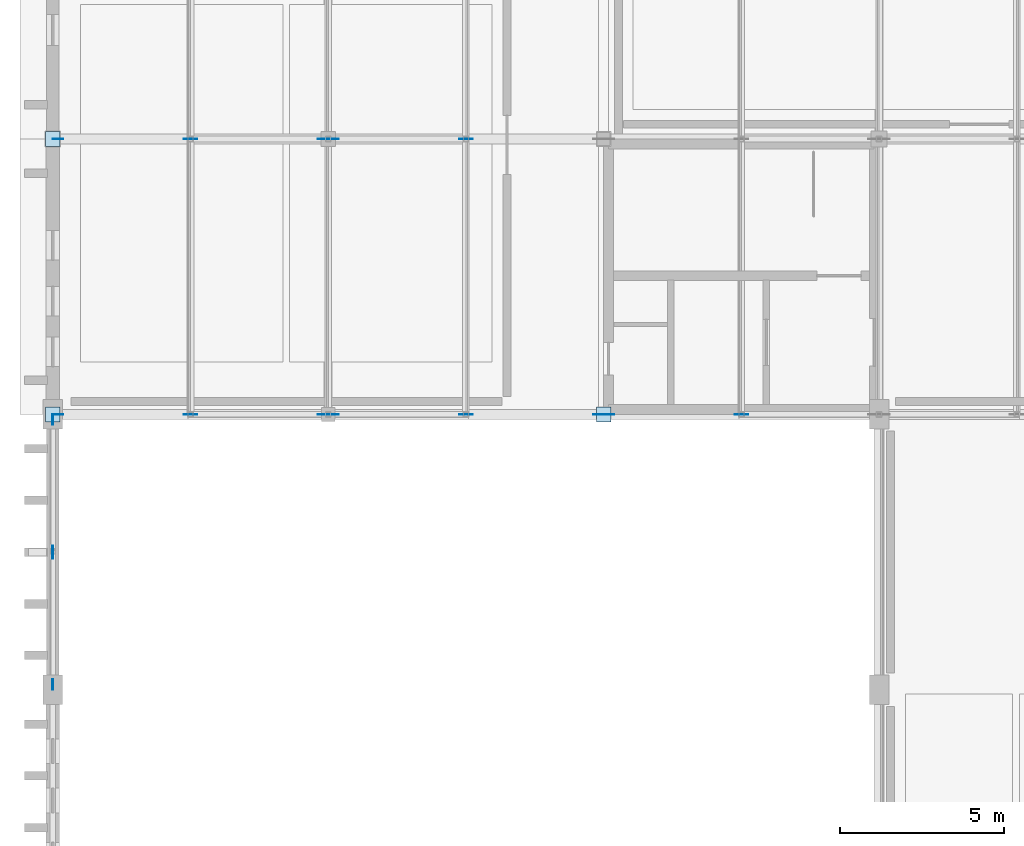
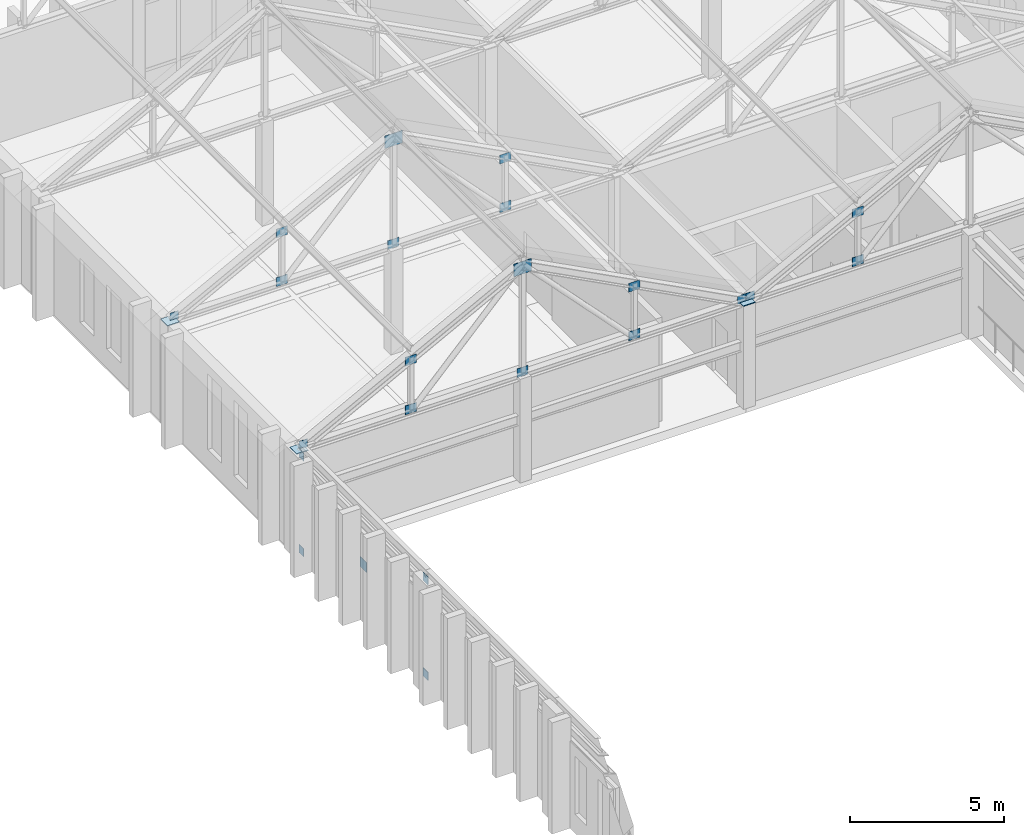
# One storey, part 147 of 192: 26 plates.
"""IFC4 building model written with IfcOpenShell, lengths in metres."""

from ifc_helpers import new_model, si_unit, direction, frame, origin, origin_2d, place, context, subcontext, project, spatial, rectangle, extrude, material, layer, layer_set, type_object, element, save


model = new_model("IFC4")

# Units and contexts
model_context = context("Model", 3, precision=1e-05, world=origin(), true_north=direction((0.0, 1.0)))
body_context = subcontext(model_context, "Body", "Model", "MODEL_VIEW")
ifc_project = project(units=[si_unit("LENGTHUNIT", "METRE"), si_unit("AREAUNIT", "SQUARE_METRE"), si_unit("VOLUMEUNIT", "CUBIC_METRE"), si_unit("PLANEANGLEUNIT", "RADIAN"), si_unit("MASSUNIT", "GRAM", prefix="KILO")], contexts=[model_context])

# Site, building, storey
site_placement = place(None, origin())
site = spatial("IfcSite", under=ifc_project, at=site_placement, CompositionType="ELEMENT")
building_placement = place(site_placement, origin())
building = spatial("IfcBuilding", under=site, at=building_placement, Name="Kveldsbrygga Polytechnic", CompositionType="ELEMENT")
storey_placement = place(building_placement, frame((0.0, 0.0, 5.43994140625)))
storey = spatial("IfcBuildingStorey", under=building, at=storey_placement, Name="L01", CompositionType="ELEMENT", Elevation=5.43994140625)

# Plates
ifc_material = material(Name="Steel S355", Category="steel")
ifc_layer_1 = layer(ifc_material, 0.030029296875)
ifc_layer_set_1 = layer_set([ifc_layer_1], Name="Steel S355")
plate_type_1 = type_object("IfcPlateType", Name="CAP-BEAR-450", PredefinedType="SHEET", material=ifc_layer_set_1)
for number, where, z_axis, x_axis, name in (
    (1, (0.0, 84.0, 4.08984375), (0.0, 0.0, 1.0), (1.0, 0.0, 0.0), "Truss Bearing Plate V1N1-T01-A"),
    (2, (16.800048828125, 84.0, 4.08984375), (0.0, 0.0, 1.0), (1.0, 0.0, 0.0), "Truss Bearing Plate V1N1-T01-B"),
    (3, (0.0, 92.39990234375, 4.08984375), (0.0, 0.0, 1.0), (1.0, 0.0, 0.0), "Truss Bearing Plate V1N1-T02-A"),
):
    element("IfcPlate", number, at=place(storey_placement, frame(where, z_axis=z_axis, x_axis=x_axis)), inside=storey, type_object=plate_type_1, Name=name, PredefinedType="SHEET", context=body_context, shape_type="SweptSolid", body=[
        extrude(rectangle(XDim=0.449951171875, YDim=0.449951171875, at=origin_2d()), origin(), (0.0, 0.0, 1.0), 0.030029296875),
    ])
ifc_layer_2 = layer(ifc_material, 0.02490234375)
ifc_layer_set_2 = layer_set([ifc_layer_2], Name="Steel S355")
plate_type_2 = type_object("IfcPlateType", Name="GUS-APEX-650", PredefinedType="SHEET", material=ifc_layer_set_2)
for number, where, z_axis, x_axis, name in (
    (4, (8.39990234375, 84.0, 8.1201171875), (0.0, 0.0, 1.0), (1.0, 0.0, 0.0), "Truss Gusset Plate V1N1-T01-GP-2"),
    (5, (8.39990234375, 92.39990234375, 8.1201171875), (0.0, 0.0, 1.0), (1.0, 0.0, 0.0), "Truss Gusset Plate V1N1-T02-GP-2"),
):
    element("IfcPlate", number, at=place(storey_placement, frame(where, z_axis=z_axis, x_axis=x_axis)), inside=storey, type_object=plate_type_2, Name=name, PredefinedType="SHEET", context=body_context, shape_type="SweptSolid", body=[
        extrude(rectangle(XDim=0.64990234375, YDim=0.02490234375, at=origin_2d()), origin(), (0.0, 0.0, 1.0), 0.5),
    ])
ifc_layer_3 = layer(ifc_material, 0.01806640625)
ifc_layer_set_3 = layer_set([ifc_layer_3], Name="Steel S355")
plate_type_3 = type_object("IfcPlateType", Name="GUS-BRACE-320", PredefinedType="SHEET", material=ifc_layer_set_3)
for number, where, z_axis, x_axis, name in (
    (6, (0.159912109375, 84.0, 4.080078125), (0.0, 0.0, 1.0), (1.0, 0.0, 0.0), "Truss Eaves Node Gusset V1N1-T01-EGP-A"),
    (7, (16.639892578125, 84.0, 4.080078125), (0.0, 0.0, 1.0), (1.0, 0.0, 0.0), "Truss Eaves Node Gusset V1N1-T01-EGP-B"),
    (8, (0.159912109375, 92.39990234375, 4.080078125), (0.0, 0.0, 1.0), (1.0, 0.0, 0.0), "Truss Eaves Node Gusset V1N1-T02-EGP-A"),
    (9, (16.9599609375, 84.0, 4.080078125), (0.0, 0.0, 1.0), (1.0, 0.0, 0.0), "Truss Eaves Node Gusset V1N2-T01-EGP-A"),
):
    element("IfcPlate", number, at=place(storey_placement, frame(where, z_axis=z_axis, x_axis=x_axis)), inside=storey, type_object=plate_type_3, Name=name, PredefinedType="SHEET", context=body_context, shape_type="SweptSolid", body=[
        extrude(rectangle(XDim=0.320068359375, YDim=0.01806640625, at=origin_2d()), origin(), (0.0, 0.0, 1.0), 0.320068359375),
    ])
for number, where, z_axis, x_axis, name in (
    (10, (0.0, 75.760009765625, 0.0), (0.0, 0.0, 1.0), (1.0, 0.0, 0.0), "Portal Brace End Gusset XGP-VBR-L01-W-9-1"),
    (11, (0.0, 83.840087890625, 3.7998046875), (0.0, 0.0, 1.0), (1.0, 0.0, 0.0), "Portal Brace End Gusset XGP-VBR-L01-W-9-2"),
    (12, (0.0, 83.840087890625, 0.0), (0.0, 0.0, 1.0), (1.0, 0.0, 0.0), "Portal Brace End Gusset XGP-VBR-L01-W-9-3"),
    (13, (0.0, 75.760009765625, 3.7998046875), (0.0, 0.0, 1.0), (1.0, 0.0, 0.0), "Portal Brace End Gusset XGP-VBR-L01-W-9-4"),
):
    element("IfcPlate", number, at=place(storey_placement, frame(where, z_axis=z_axis, x_axis=x_axis)), inside=storey, type_object=plate_type_3, Name=name, PredefinedType="SHEET", context=body_context, shape_type="SweptSolid", body=[
        extrude(rectangle(XDim=0.01806640625, YDim=0.320068359375, at=origin_2d()), origin(), (0.0, 0.0, 1.0), 0.320068359375),
    ])
ifc_layer_4 = layer(ifc_material, 0.02001953125)
ifc_layer_set_4 = layer_set([ifc_layer_4], Name="Steel S355")
plate_type_4 = type_object("IfcPlateType", Name="GUS-LECT-420", PredefinedType="SHEET", material=ifc_layer_set_4)
for number, where, z_axis, x_axis, name in (
    (14, (4.199951171875, 84.0, 5.9951171875), (0.0, 0.0, 1.0), (1.0, 0.0, 0.0), "Truss Gusset Plate V1N1-T01-GP-1"),
    (15, (4.199951171875, 84.0, 4.06494140625), (0.0, 0.0, 1.0), (1.0, 0.0, 0.0), "Truss Bottom-Chord Node Gusset V1N1-T01-BGP-1"),
    (16, (8.39990234375, 84.0, 4.06494140625), (0.0, 0.0, 1.0), (1.0, 0.0, 0.0), "Truss Bottom-Chord Node Gusset V1N1-T01-BGP-2"),
    (17, (12.60009765625, 84.0, 5.9951171875), (0.0, 0.0, 1.0), (1.0, 0.0, 0.0), "Truss Gusset Plate V1N1-T01-GP-3"),
    (18, (12.60009765625, 84.0, 4.06494140625), (0.0, 0.0, 1.0), (1.0, 0.0, 0.0), "Truss Bottom-Chord Node Gusset V1N1-T01-BGP-3"),
    (19, (4.199951171875, 92.39990234375, 5.9951171875), (0.0, 0.0, 1.0), (1.0, 0.0, 0.0), "Truss Gusset Plate V1N1-T02-GP-1"),
    (20, (4.199951171875, 92.39990234375, 4.06494140625), (0.0, 0.0, 1.0), (1.0, 0.0, 0.0), "Truss Bottom-Chord Node Gusset V1N1-T02-BGP-1"),
    (21, (8.39990234375, 92.39990234375, 4.06494140625), (0.0, 0.0, 1.0), (1.0, 0.0, 0.0), "Truss Bottom-Chord Node Gusset V1N1-T02-BGP-2"),
    (22, (12.60009765625, 92.39990234375, 5.9951171875), (0.0, 0.0, 1.0), (1.0, 0.0, 0.0), "Truss Gusset Plate V1N1-T02-GP-3"),
    (23, (12.60009765625, 92.39990234375, 4.06494140625), (0.0, 0.0, 1.0), (1.0, 0.0, 0.0), "Truss Bottom-Chord Node Gusset V1N1-T02-BGP-3"),
    (24, (21.0, 84.0, 5.9951171875), (0.0, 0.0, 1.0), (1.0, 0.0, 0.0), "Truss Gusset Plate V1N2-T01-GP-1"),
    (25, (21.0, 84.0, 4.06494140625), (0.0, 0.0, 1.0), (1.0, 0.0, 0.0), "Truss Bottom-Chord Node Gusset V1N2-T01-BGP-1"),
):
    element("IfcPlate", number, at=place(storey_placement, frame(where, z_axis=z_axis, x_axis=x_axis)), inside=storey, type_object=plate_type_4, Name=name, PredefinedType="SHEET", context=body_context, shape_type="SweptSolid", body=[
        extrude(rectangle(XDim=0.419921875, YDim=0.02001953125, at=origin_2d()), origin(), (0.0, 0.0, 1.0), 0.35009765625),
    ])
ifc_layer_5 = layer(ifc_material, 0.02001953125)
ifc_layer_set_5 = layer_set([ifc_layer_5], Name="Steel S355")
plate_type_5 = type_object("IfcPlateType", Name="GUS-XBRACE-400", PredefinedType="SHEET", material=ifc_layer_set_5)
plate_placement = place(storey_placement, frame((0.0, 79.800048828125, 1.860107421875), z_axis=(0.0, 0.0, 1.0), x_axis=(1.0, 0.0, 0.0)))
element("IfcPlate", 26, at=plate_placement, inside=storey, type_object=plate_type_5, Name="Portal X-Brace Crossing Gusset XGP-VBR-L01-W-9-C", PredefinedType="SHEET", context=body_context, shape_type="SweptSolid", body=[
    extrude(rectangle(XDim=0.02001953125, YDim=0.39990234375, at=origin_2d()), origin(), (0.0, 0.0, 1.0), 0.39990234375),
])

save(model, "model.ifc")
